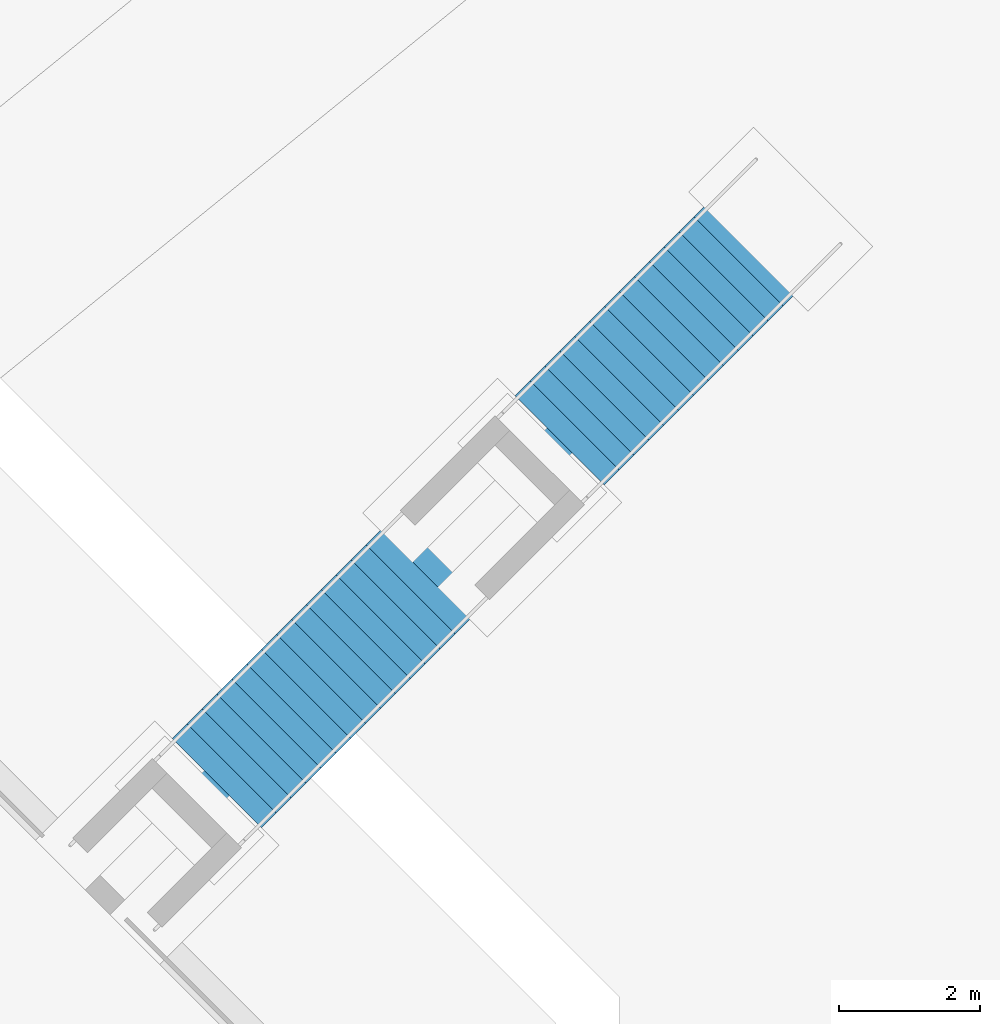
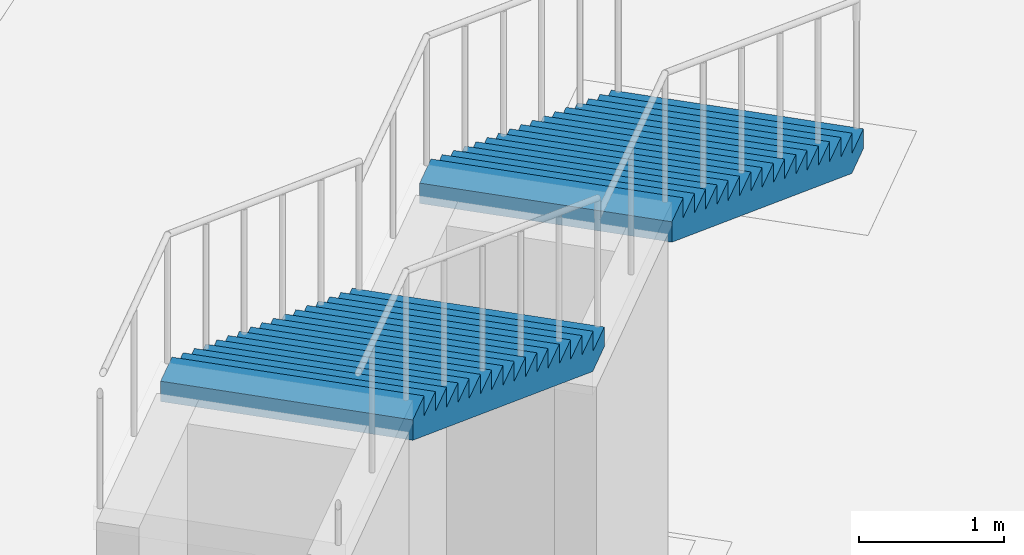
# One storey, part 31 of 36: 2 stair flights, 1 element without a shape of its own.
"""IFC4 building model written with IfcOpenShell, lengths in metres."""

from ifc_helpers import new_model, si_unit, direction, frame, origin, place, context, subcontext, project, spatial, polyline, outline, extrude, material, constituent, constituent_set, type_object, element, aggregate, save


model = new_model("IFC4")

# Units and contexts
model_context = context("Model", 3, precision=1e-05, world=origin(), true_north=direction((0.0, 1.0)))
body_context = subcontext(model_context, "Body", "Model", "MODEL_VIEW")
ifc_project = project(units=[si_unit("LENGTHUNIT", "METRE"), si_unit("AREAUNIT", "SQUARE_METRE"), si_unit("VOLUMEUNIT", "CUBIC_METRE"), si_unit("PLANEANGLEUNIT", "RADIAN"), si_unit("MASSUNIT", "GRAM", prefix="KILO")], contexts=[model_context])

# Site, building, storey
site_placement = place(None, origin())
site = spatial("IfcSite", under=ifc_project, at=site_placement, CompositionType="ELEMENT")
building_placement = place(site_placement, origin())
building = spatial("IfcBuilding", under=site, at=building_placement, Name="Msitu Wima Residences", CompositionType="ELEMENT")
storey_placement = place(building_placement, origin())
storey = spatial("IfcBuildingStorey", under=building, at=storey_placement, Name="L00", CompositionType="ELEMENT", Elevation=0.0)

# Stair, stair flights
ifc_material_1 = material(Name="Concrete C40/50", Category="concrete")
stair_type = type_object("IfcStairType", Name="External stair garden STAIR", PredefinedType="NOTDEFINED", material=ifc_material_1)
stair_placement = place(storey_placement, origin())
stair = element("IfcStair", 1, at=stair_placement, inside=storey, type_object=stair_type, Name="External stair NE1", PredefinedType="NOTDEFINED")
ifc_constituent_1 = constituent(ifc_material_1, Name="Concrete C40/50")
ifc_material_2 = material(Name="Exposed aggregate finish")
ifc_constituent_2 = constituent(ifc_material_2, Name="Exposed aggregate finish")
ifc_constituent_set = constituent_set(constituents=[ifc_constituent_1, ifc_constituent_2], Name="Concrete C40/50")
stair_flight_type = type_object("IfcStairFlightType", Name="External stair flight FL1800", PredefinedType="STRAIGHT", material=ifc_constituent_set)
stair_flight_1_placement = place(storey_placement, frame((53.652099609375, 34.944091796875, 0.0), z_axis=(0.0, 0.0, 1.0), x_axis=(-0.707106781187, -0.707106781187, 0.0)))
stair_flight_1 = element("IfcStairFlight", 2, at=stair_flight_1_placement, type_object=stair_flight_type, Name="ES1 flight 1", NumberOfRisers=18, NumberOfTreads=17, PredefinedType="STRAIGHT", RiserHeight=0.166667, TreadLength=0.3, context=body_context, shape_type="SweptSolid", body=[
    extrude(outline(polyline([(0.0, 0.0), (0.0, 0.166748046875), (0.300048828125, 0.166748046875), (0.300048828125, 0.333251953125), (0.60009765625, 0.333251953125), (0.60009765625, 0.5), (0.89990234375, 0.5), (0.89990234375, 0.666748046875), (1.199951171875, 0.666748046875), (1.199951171875, 0.833251953125), (1.5, 0.833251953125), (1.5, 1.0), (1.800048828125, 1.0), (1.800048828125, 1.166748046875), (2.10009765625, 1.166748046875), (2.10009765625, 1.333251953125), (2.39990234375, 1.333251953125), (2.39990234375, 1.5), (2.699951171875, 1.5), (2.699951171875, 1.666748046875), (3.0, 1.666748046875), (3.0, 1.833251953125), (3.300048828125, 1.833251953125), (3.300048828125, 2.0), (3.60009765625, 2.0), (3.60009765625, 2.166748046875), (3.89990234375, 2.166748046875), (3.89990234375, 2.333251953125), (4.199951171875, 2.333251953125), (4.199951171875, 2.5), (4.5, 2.5), (4.5, 2.666748046875), (4.800048828125, 2.666748046875), (4.800048828125, 2.833251953125), (5.10009765625, 2.833251953125), (5.10009765625, 3.0), (5.10009765625, 2.661865234375), (0.30859375, 0.0), (0.0, 0.0)])), frame((0.0, 0.89990234375, 0.0), z_axis=(0.0, -1.0, 0.0), x_axis=(1.0, 0.0, 0.0)), (0.0, 0.0, 1.0), 1.800048828125),
])
stair_flight_2_placement = place(storey_placement, frame((48.773193359375, 30.06494140625, 3.0), z_axis=(0.0, 0.0, 1.0), x_axis=(-0.707106781187, -0.707106781187, 0.0)))
stair_flight_2 = element("IfcStairFlight", 3, at=stair_flight_2_placement, type_object=stair_flight_type, Name="ES1 flight 2", NumberOfRisers=18, NumberOfTreads=17, PredefinedType="STRAIGHT", RiserHeight=0.166667, TreadLength=0.3, context=body_context, shape_type="SweptSolid", body=[
    extrude(outline(polyline([(0.0, 0.0), (0.0, 0.166748046875), (0.300048828125, 0.166748046875), (0.300048828125, 0.333251953125), (0.60009765625, 0.333251953125), (0.60009765625, 0.5), (0.89990234375, 0.5), (0.89990234375, 0.666748046875), (1.199951171875, 0.666748046875), (1.199951171875, 0.833251953125), (1.5, 0.833251953125), (1.5, 1.0), (1.800048828125, 1.0), (1.800048828125, 1.166748046875), (2.10009765625, 1.166748046875), (2.10009765625, 1.333251953125), (2.39990234375, 1.333251953125), (2.39990234375, 1.5), (2.699951171875, 1.5), (2.699951171875, 1.666748046875), (3.0, 1.666748046875), (3.0, 1.833251953125), (3.300048828125, 1.833251953125), (3.300048828125, 2.0), (3.60009765625, 2.0), (3.60009765625, 2.166748046875), (3.89990234375, 2.166748046875), (3.89990234375, 2.333251953125), (4.199951171875, 2.333251953125), (4.199951171875, 2.5), (4.5, 2.5), (4.5, 2.666748046875), (4.800048828125, 2.666748046875), (4.800048828125, 2.833251953125), (5.10009765625, 2.833251953125), (5.10009765625, 3.0), (5.10009765625, 2.661865234375), (0.30859375, 0.0), (0.0, 0.0)])), frame((0.0, 0.89990234375, 0.0), z_axis=(0.0, -1.0, 0.0), x_axis=(1.0, 0.0, 0.0)), (0.0, 0.0, 1.0), 1.800048828125),
])
aggregate(stair, [stair_flight_1, stair_flight_2])

save(model, "model.ifc")
